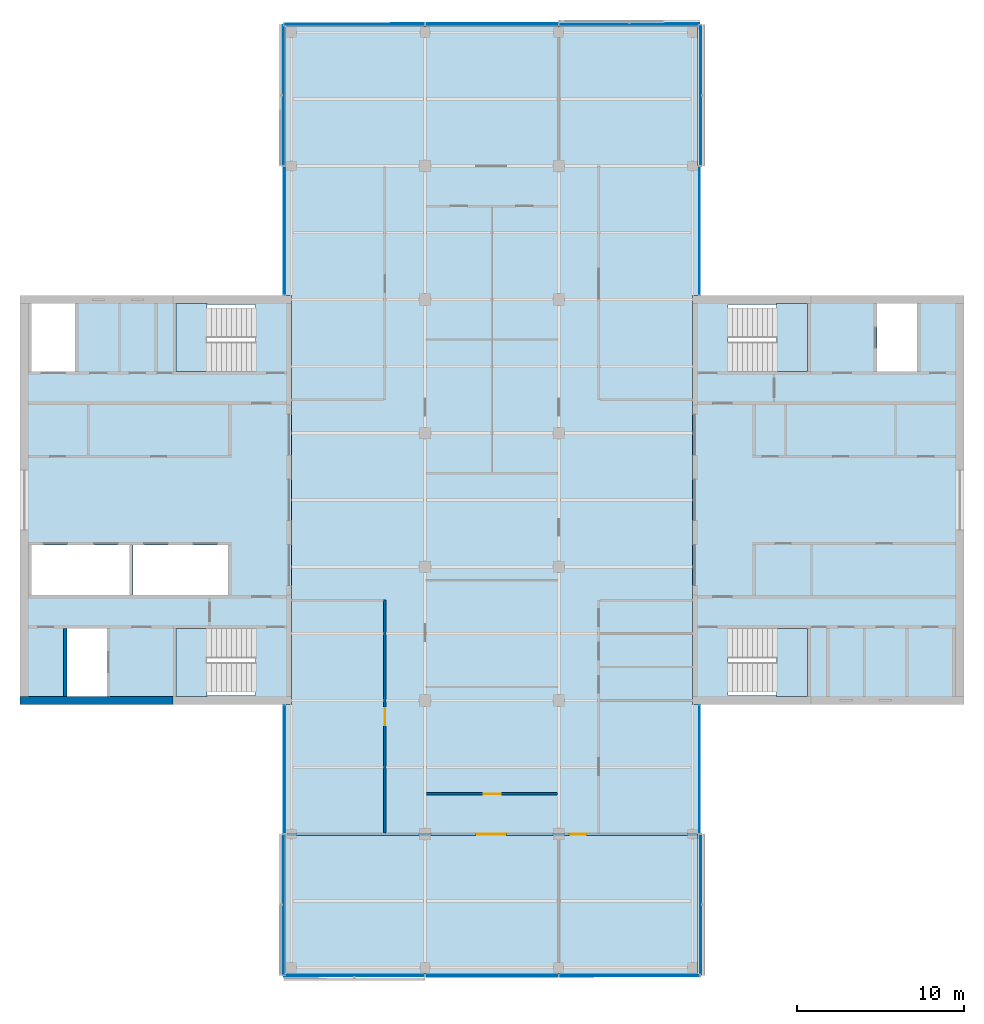
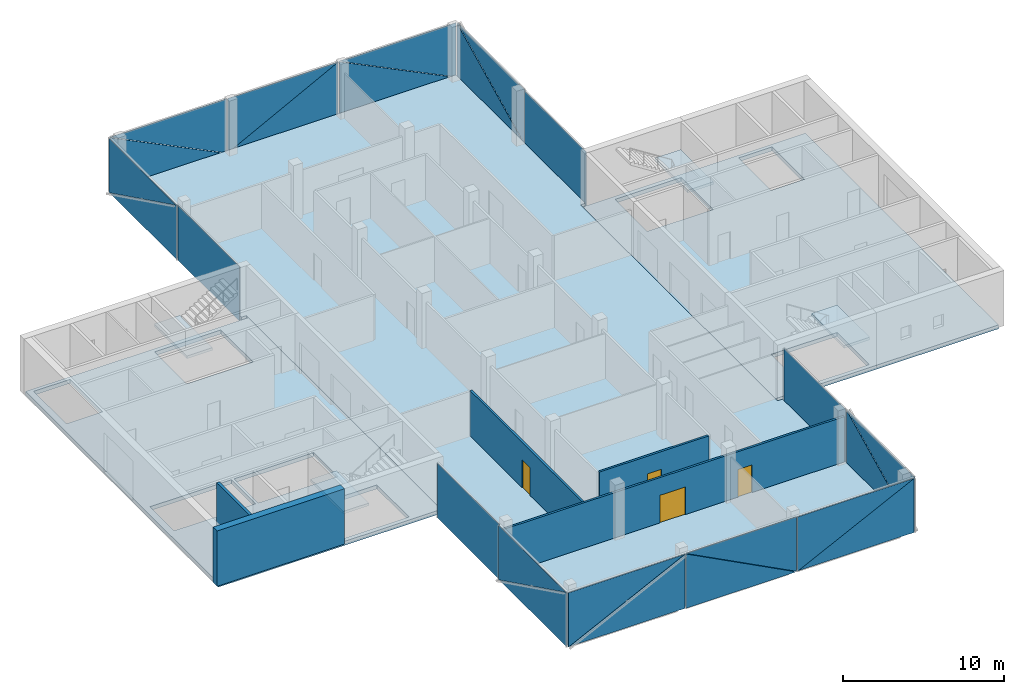
# One storey, part 8 of 15: 24 plates, 7 slabs, 5 walls, 4 doors, 4 openings, 14 elements without a shape of their own.
"""IFC4 building model written with IfcOpenShell, lengths in metres."""

from ifc_helpers import new_model, si_unit, direction, frame, frame_2d, origin, place, context, subcontext, project, spatial, polyline, rectangle, outline, extrude, material, layer, layer_set, constituent, constituent_set, type_object, element, fill, aggregate, save


model = new_model("IFC4")

# Units and contexts
model_context = context("Model", 3, precision=1e-05, world=origin(), true_north=direction((0.0, 1.0)))
body_context = subcontext(model_context, "Body", "Model", "MODEL_VIEW")
ifc_project = project(units=[si_unit("LENGTHUNIT", "METRE"), si_unit("AREAUNIT", "SQUARE_METRE"), si_unit("VOLUMEUNIT", "CUBIC_METRE"), si_unit("PLANEANGLEUNIT", "RADIAN"), si_unit("MASSUNIT", "GRAM", prefix="KILO")], contexts=[model_context])

# Site, building, storey
site_placement = place(None, origin())
site = spatial("IfcSite", under=ifc_project, at=site_placement, CompositionType="ELEMENT")
building_placement = place(site_placement, origin())
building = spatial("IfcBuilding", under=site, at=building_placement, Name="Crosswind Convention Tower", CompositionType="ELEMENT")
storey_placement = place(building_placement, frame((0.0, 0.0, 257.699951171875)))
storey = spatial("IfcBuildingStorey", under=building, at=storey_placement, Name="L55", CompositionType="ELEMENT", Elevation=257.699951171875)

# Slabs
ifc_material_1 = material(Name="Concrete C40/50", Category="concrete")
ifc_layer_1 = layer(ifc_material_1, 0.300048828125)
ifc_layer_set_1 = layer_set([ifc_layer_1], Name="Concrete C40/50")
slab_type_1 = type_object("IfcSlabType", Name="Composite floor slab 300", PredefinedType="FLOOR", material=ifc_layer_set_1)
slab_1_placement = place(storey_placement, frame((0.0, 0.0, -0.300048828125)))
element("IfcSlab", 1, at=slab_1_placement, inside=storey, type_object=slab_type_1, Name="Floor slab L55", PredefinedType="FLOOR", context=body_context, shape_type="SweptSolid", body=[
    extrude(outline(polyline([(137.35009765625, 71.64990234375), (137.0, 71.64990234375), (113.0, 71.64990234375), (112.64990234375, 71.64990234375), (112.64990234375, 72.0), (112.64990234375, 87.75), (113.0, 87.75), (113.0, 112.25), (112.64990234375, 112.25), (112.64990234375, 128.0), (112.64990234375, 128.35009765625), (113.0, 128.35009765625), (137.0, 128.35009765625), (137.35009765625, 128.35009765625), (137.35009765625, 128.0), (137.35009765625, 112.25), (137.0, 112.25), (137.0, 87.75), (137.35009765625, 87.75), (137.35009765625, 72.0), (137.35009765625, 71.64990234375)])), origin(), (0.0, 0.0, 1.0), 0.300048828125),
])
ifc_layer_2 = layer(ifc_material_1, 0.300048828125)
ifc_layer_set_2 = layer_set([ifc_layer_2], Name="Concrete C40/50")
slab_type_2 = type_object("IfcSlabType", Name="Concrete core floor slab 300", PredefinedType="FLOOR", material=ifc_layer_set_2)
slab_2_placement = place(storey_placement, frame((0.0, 0.0, -0.300048828125)))
element("IfcSlab", 2, at=slab_2_placement, inside=storey, type_object=slab_type_2, Name="Core floor slab E L55", PredefinedType="FLOOR", context=body_context, shape_type="SweptSolid", body=[
    extrude(outline(polyline([(137.0, 88.0), (153.0, 88.0), (153.0, 112.0), (137.0, 112.0), (137.0, 88.0)]), holes=[polyline([(150.449951171875, 107.699951171875), (150.449951171875, 111.75), (148.050048828125, 111.75), (148.050048828125, 107.699951171875), (150.449951171875, 107.699951171875)]), polyline([(143.89990234375, 107.699951171875), (143.89990234375, 111.699951171875), (139.14990234375, 111.699951171875), (139.14990234375, 107.699951171875), (143.89990234375, 107.699951171875)]), polyline([(143.89990234375, 88.300048828125), (143.89990234375, 92.300048828125), (139.14990234375, 92.300048828125), (139.14990234375, 88.300048828125), (143.89990234375, 88.300048828125)])]), origin(), (0.0, 0.0, 1.0), 0.300048828125),
])
slab_3_placement = place(storey_placement, frame((0.0, 0.0, -0.300048828125)))
element("IfcSlab", 3, at=slab_3_placement, inside=storey, type_object=slab_type_2, Name="Core floor slab W L55", PredefinedType="FLOOR", context=body_context, shape_type="SweptSolid", body=[
    extrude(outline(polyline([(97.0, 88.0), (113.0, 88.0), (113.0, 112.0), (97.0, 112.0), (97.0, 88.0)]), holes=[polyline([(109.199951171875, 94.300048828125), (109.199951171875, 97.300048828125), (103.5, 97.300048828125), (103.5, 94.300048828125), (109.199951171875, 94.300048828125)]), polyline([(103.300048828125, 94.300048828125), (103.300048828125, 97.300048828125), (97.449951171875, 97.300048828125), (97.449951171875, 94.300048828125), (103.300048828125, 94.300048828125)]), polyline([(101.949951171875, 88.25), (101.949951171875, 92.300048828125), (99.550048828125, 92.300048828125), (99.550048828125, 88.25), (101.949951171875, 88.25)]), polyline([(100.050048828125, 107.699951171875), (100.050048828125, 111.75), (97.449951171875, 111.75), (97.449951171875, 107.699951171875), (100.050048828125, 107.699951171875)]), polyline([(110.85009765625, 88.300048828125), (110.85009765625, 92.300048828125), (106.10009765625, 92.300048828125), (106.10009765625, 88.300048828125), (110.85009765625, 88.300048828125)]), polyline([(110.85009765625, 107.699951171875), (110.85009765625, 111.699951171875), (106.10009765625, 111.699951171875), (106.10009765625, 107.699951171875), (110.85009765625, 107.699951171875)])]), origin(), (0.0, 0.0, 1.0), 0.300048828125),
])

# Stair, slab
stair_type = type_object("IfcStairType", Name="Exit stair 1800 wide, 2 flights of 11 risers", PredefinedType="HALF_TURN_STAIR", material=ifc_material_1)
stair_1_placement = place(storey_placement, origin())
stair_1 = element("IfcStair", 4, at=stair_1_placement, inside=storey, type_object=stair_type, Name="Exit stair ST1 L55", ObjectType="ST5", PredefinedType="HALF_TURN_STAIR")
ifc_layer_3 = layer(ifc_material_1, 0.199951171875)
ifc_layer_set_3 = layer_set([ifc_layer_3], Name="Concrete C40/50")
slab_type_3 = type_object("IfcSlabType", Name="Stair landing 200", PredefinedType="LANDING", material=ifc_layer_set_3)
slab_4_placement = place(storey_placement, frame((0.0, 0.0, 1.900146484375)))
slab_4 = element("IfcSlab", 5, at=slab_4_placement, type_object=slab_type_3, Name="ST1 landing 1", PredefinedType="LANDING", context=body_context, shape_type="SweptSolid", body=[
    extrude(outline(polyline([(143.89990234375, 107.699951171875), (143.89990234375, 111.75), (142.050048828125, 111.75), (142.050048828125, 107.699951171875), (143.89990234375, 107.699951171875)])), origin(), (0.0, 0.0, 1.0), 0.199951171875),
])
aggregate(stair_1, [slab_4])

stair_2_placement = place(storey_placement, origin())
stair_2 = element("IfcStair", 6, at=stair_2_placement, inside=storey, type_object=stair_type, Name="Exit stair ST2 L55", ObjectType="ST5", PredefinedType="HALF_TURN_STAIR")
slab_5_placement = place(storey_placement, frame((0.0, 0.0, 1.900146484375)))
slab_5 = element("IfcSlab", 7, at=slab_5_placement, type_object=slab_type_3, Name="ST2 landing 1", PredefinedType="LANDING", context=body_context, shape_type="SweptSolid", body=[
    extrude(outline(polyline([(143.89990234375, 88.25), (143.89990234375, 92.300048828125), (142.050048828125, 92.300048828125), (142.050048828125, 88.25), (143.89990234375, 88.25)])), origin(), (0.0, 0.0, 1.0), 0.199951171875),
])
aggregate(stair_2, [slab_5])

stair_3_placement = place(storey_placement, origin())
stair_3 = element("IfcStair", 8, at=stair_3_placement, inside=storey, type_object=stair_type, Name="Exit stair ST3 L55", ObjectType="ST5", PredefinedType="HALF_TURN_STAIR")
slab_6_placement = place(storey_placement, frame((0.0, 0.0, 1.900146484375)))
slab_6 = element("IfcSlab", 9, at=slab_6_placement, type_object=slab_type_3, Name="ST3 landing 1", PredefinedType="LANDING", context=body_context, shape_type="SweptSolid", body=[
    extrude(outline(polyline([(107.949951171875, 88.25), (107.949951171875, 92.300048828125), (106.10009765625, 92.300048828125), (106.10009765625, 88.25), (107.949951171875, 88.25)])), origin(), (0.0, 0.0, 1.0), 0.199951171875),
])
aggregate(stair_3, [slab_6])

stair_4_placement = place(storey_placement, origin())
stair_4 = element("IfcStair", 10, at=stair_4_placement, inside=storey, type_object=stair_type, Name="Exit stair ST4 L55", ObjectType="ST5", PredefinedType="HALF_TURN_STAIR")
slab_7_placement = place(storey_placement, frame((0.0, 0.0, 1.900146484375)))
slab_7 = element("IfcSlab", 11, at=slab_7_placement, type_object=slab_type_3, Name="ST4 landing 1", PredefinedType="LANDING", context=body_context, shape_type="SweptSolid", body=[
    extrude(outline(polyline([(107.949951171875, 107.699951171875), (107.949951171875, 111.75), (106.10009765625, 111.75), (106.10009765625, 107.699951171875), (107.949951171875, 107.699951171875)])), origin(), (0.0, 0.0, 1.0), 0.199951171875),
])
aggregate(stair_4, [slab_7])

# Curtain wall, plate
ifc_material_2 = material(Name="Aluminium unitised curtain wall", Category="aluminium")
curtain_wall_type_1 = type_object("IfcCurtainWallType", Name="CORE END SLOT WALL 160", PredefinedType="USERDEFINED", material=ifc_material_2)
curtain_wall_1_placement = place(storey_placement, origin())
curtain_wall_1 = element("IfcCurtainWall", 12, at=curtain_wall_1_placement, inside=storey, type_object=curtain_wall_type_1, Name="CW6 L55 N-E.1-1 slot", ObjectType="UNITISED", PredefinedType="USERDEFINED")
ifc_material_3 = material(Name="Laminated insulating glass unit", Category="glass")
ifc_layer_4 = layer(ifc_material_3, 0.02587890625)
ifc_layer_set_4 = layer_set([ifc_layer_4], Name="TRIANGULAR GLASS PANEL 26")
plate_type_1 = type_object("IfcPlateType", Name="TRIANGULAR GLASS PANEL 26", PredefinedType="CURTAIN_PANEL", material=ifc_layer_set_4)
plate_1_placement = place(storey_placement, frame((137.456787109375, 112.300048828125, -0.300048828125), z_axis=(0.999999915215, 0.0, 0.000411788894), x_axis=(0.0, 1.0, 0.0)))
plate_1 = element("IfcPlate", 13, at=plate_1_placement, type_object=plate_type_1, Name="CW6 panel 1.1", PredefinedType="CURTAIN_PANEL", context=body_context, shape_type="SweptSolid", body=[
    extrude(outline(polyline([(0.0, 0.0), (7.64990234375, 0.0), (7.64990234375, 4.150146836245408), (0.0, 4.150146836245408), (0.0, 0.0)])), origin(), (0.0, 0.0, -1.0), 0.02587890625),
])
aggregate(curtain_wall_1, [plate_1])

curtain_wall_2_placement = place(storey_placement, origin())
curtain_wall_2 = element("IfcCurtainWall", 14, at=curtain_wall_2_placement, inside=storey, type_object=curtain_wall_type_1, Name="CW6 L55 N-W.1-2 slot", ObjectType="UNITISED", PredefinedType="USERDEFINED")
plate_2_placement = place(storey_placement, frame((112.543212890625, 119.949951171875, -0.300048828125), z_axis=(-0.999999915215, 0.0, 0.000411788894), x_axis=(0.0, -1.0, 0.0)))
plate_2 = element("IfcPlate", 15, at=plate_2_placement, type_object=plate_type_1, Name="CW6 panel 1.1", PredefinedType="CURTAIN_PANEL", context=body_context, shape_type="SweptSolid", body=[
    extrude(outline(polyline([(0.0, 0.0), (7.64990234375, 0.0), (7.64990234375, 4.150146836245408), (0.0, 4.150146836245408), (0.0, 0.0)])), origin(), (0.0, 0.0, -1.0), 0.02587890625),
])
aggregate(curtain_wall_2, [plate_2])

curtain_wall_3_placement = place(storey_placement, origin())
curtain_wall_3 = element("IfcCurtainWall", 16, at=curtain_wall_3_placement, inside=storey, type_object=curtain_wall_type_1, Name="CW6 L55 S-W.1-1 slot", ObjectType="UNITISED", PredefinedType="USERDEFINED")
plate_3_placement = place(storey_placement, frame((112.543212890625, 87.699951171875, -0.300048828125), z_axis=(-0.999999915215, 0.0, 0.000411788894), x_axis=(0.0, -1.0, 0.0)))
plate_3 = element("IfcPlate", 17, at=plate_3_placement, type_object=plate_type_1, Name="CW6 panel 1.1", PredefinedType="CURTAIN_PANEL", context=body_context, shape_type="SweptSolid", body=[
    extrude(outline(polyline([(0.0, 0.0), (7.64990234375, 0.0), (7.64990234375, 4.150146836245408), (0.0, 4.150146836245408), (0.0, 0.0)])), origin(), (0.0, 0.0, -1.0), 0.02587890625),
])
aggregate(curtain_wall_3, [plate_3])

curtain_wall_4_placement = place(storey_placement, origin())
curtain_wall_4 = element("IfcCurtainWall", 18, at=curtain_wall_4_placement, inside=storey, type_object=curtain_wall_type_1, Name="CW6 L55 S-E.1-2 slot", ObjectType="UNITISED", PredefinedType="USERDEFINED")
plate_4_placement = place(storey_placement, frame((137.456787109375, 80.050048828125, -0.300048828125), z_axis=(0.999999915215, 0.0, 0.000411788894), x_axis=(0.0, 1.0, 0.0)))
plate_4 = element("IfcPlate", 19, at=plate_4_placement, type_object=plate_type_1, Name="CW6 panel 1.1", PredefinedType="CURTAIN_PANEL", context=body_context, shape_type="SweptSolid", body=[
    extrude(outline(polyline([(0.0, 0.0), (7.64990234375, 0.0), (7.64990234375, 4.150146836245408), (0.0, 4.150146836245408), (0.0, 0.0)])), origin(), (0.0, 0.0, -1.0), 0.02587890625),
])
aggregate(curtain_wall_4, [plate_4])

# Curtain wall, plates
curtain_wall_type_2 = type_object("IfcCurtainWallType", Name="OFFICE UNITISED WALL 220", PredefinedType="USERDEFINED", material=ifc_material_2)
curtain_wall_5_placement = place(storey_placement, origin())
curtain_wall_5 = element("IfcCurtainWall", 20, at=curtain_wall_5_placement, inside=storey, type_object=curtain_wall_type_2, Name="CW3 L55 N-E 1", ObjectType="UNITISED", PredefinedType="USERDEFINED")
ifc_layer_5 = layer(ifc_material_3, 0.031982421875)
ifc_layer_set_5 = layer_set([ifc_layer_5], Name="TRIANGULAR GLASS PANEL 32")
plate_type_2 = type_object("IfcPlateType", Name="TRIANGULAR GLASS PANEL 32", PredefinedType="CURTAIN_PANEL", material=ifc_layer_set_5)
plate_5_placement = place(storey_placement, frame((137.492919921875, 128.425048828125, -0.300048828125), z_axis=(0.999999913924, 0.0, 0.000414913129), x_axis=(-0.000414913129, 0.0, 0.999999913924)))
plate_5 = element("IfcPlate", 21, at=plate_5_placement, type_object=plate_type_2, Name="CW3 panel 1.1", PredefinedType="CURTAIN_PANEL", context=body_context, shape_type="SweptSolid", body=[
    extrude(outline(polyline([(0.0, 0.0), (4.118896838915043, 0.0), (0.0, 8.367431640625), (0.0, 0.0)])), origin(), (0.0, 0.0, -1.0), 0.031982421875),
])
plate_6_placement = place(storey_placement, frame((137.525146484375, 120.034912109375, 3.830078125), z_axis=(0.999999913924, 0.0, 0.000414913129), x_axis=(0.000414913129, 0.0, -0.999999913924)))
plate_6 = element("IfcPlate", 22, at=plate_6_placement, type_object=plate_type_2, Name="CW3 panel 1.2", PredefinedType="CURTAIN_PANEL", context=body_context, shape_type="SweptSolid", body=[
    extrude(outline(polyline([(0.0, 0.0), (4.118896838915043, 0.0), (0.0, 8.367431640625), (0.0, 0.0)])), origin(), (0.0, 0.0, -1.0), 0.031982421875),
])
aggregate(curtain_wall_5, [plate_5, plate_6])

curtain_wall_6_placement = place(storey_placement, origin())
curtain_wall_6 = element("IfcCurtainWall", 23, at=curtain_wall_6_placement, inside=storey, type_object=curtain_wall_type_2, Name="CW3 L55 N-TIP 1", ObjectType="UNITISED", PredefinedType="USERDEFINED")
plate_7_placement = place(storey_placement, frame((129.034912109375, 128.492919921875, -0.300048828125), z_axis=(0.0, 0.999999913924, 0.000414913129), x_axis=(0.0, -0.000414913129, 0.999999913924)))
plate_7 = element("IfcPlate", 24, at=plate_7_placement, type_object=plate_type_2, Name="CW3 panel 1.1", PredefinedType="CURTAIN_PANEL", context=body_context, shape_type="SweptSolid", body=[
    extrude(outline(polyline([(0.0, 0.0), (4.118896838915043, 0.0), (0.0, 8.367431640625), (0.0, 0.0)])), origin(), (0.0, 0.0, -1.0), 0.031982421875),
])
plate_8_placement = place(storey_placement, frame((137.425048828125, 128.525146484375, 3.830078125), z_axis=(0.0, 0.999999913924, 0.000414913129), x_axis=(0.0, 0.000414913129, -0.999999913924)))
plate_8 = element("IfcPlate", 25, at=plate_8_placement, type_object=plate_type_2, Name="CW3 panel 1.2", PredefinedType="CURTAIN_PANEL", context=body_context, shape_type="SweptSolid", body=[
    extrude(outline(polyline([(0.0, 0.0), (4.118896838915043, 0.0), (0.0, 8.367431640625), (0.0, 0.0)])), origin(), (0.0, 0.0, -1.0), 0.031982421875),
])
plate_9_placement = place(storey_placement, frame((121.034912109375, 128.4912109375, 3.830078125), z_axis=(0.0, 0.999999913913, 0.000414937724), x_axis=(1.0, 0.0, 0.0)))
plate_9 = element("IfcPlate", 26, at=plate_9_placement, type_object=plate_type_2, Name="CW3 panel 2.1", PredefinedType="CURTAIN_PANEL", context=body_context, shape_type="SweptSolid", body=[
    extrude(outline(polyline([(0.0, 0.0), (7.908447265625, 0.0), (0.0, 4.118652698311059), (0.0, 0.0)])), origin(), (0.0, 0.0, -1.0), 0.031982421875),
])
plate_10_placement = place(storey_placement, frame((128.965087890625, 128.52685546875, -0.300048828125), z_axis=(0.0, 0.999999913924, 0.000414913129), x_axis=(-1.0, 0.0, 0.0)))
plate_10 = element("IfcPlate", 27, at=plate_10_placement, type_object=plate_type_2, Name="CW3 panel 2.2", PredefinedType="CURTAIN_PANEL", context=body_context, shape_type="SweptSolid", body=[
    extrude(outline(polyline([(0.0, 0.0), (7.908447265625, 0.0), (0.0, 4.118896838915043), (0.0, 0.0)])), origin(), (0.0, 0.0, -1.0), 0.031982421875),
])
plate_11_placement = place(storey_placement, frame((112.574951171875, 128.492919921875, -0.300048828125), z_axis=(0.0, 0.999999913924, 0.000414913129), x_axis=(0.0, -0.000414913129, 0.999999913924)))
plate_11 = element("IfcPlate", 28, at=plate_11_placement, type_object=plate_type_2, Name="CW3 panel 3.1", PredefinedType="CURTAIN_PANEL", context=body_context, shape_type="SweptSolid", body=[
    extrude(outline(polyline([(0.0, 0.0), (4.118896838915043, 0.0), (0.0, 8.367431640625), (0.0, 0.0)])), origin(), (0.0, 0.0, -1.0), 0.031982421875),
])
plate_12_placement = place(storey_placement, frame((120.965087890625, 128.525146484375, 3.830078125), z_axis=(0.0, 0.999999913924, 0.000414913129), x_axis=(0.0, 0.000414913129, -0.999999913924)))
plate_12 = element("IfcPlate", 29, at=plate_12_placement, type_object=plate_type_2, Name="CW3 panel 3.2", PredefinedType="CURTAIN_PANEL", context=body_context, shape_type="SweptSolid", body=[
    extrude(outline(polyline([(0.0, 0.0), (4.118896838915043, 0.0), (0.0, 8.367431640625), (0.0, 0.0)])), origin(), (0.0, 0.0, -1.0), 0.031982421875),
])
aggregate(curtain_wall_6, [plate_7, plate_8, plate_9, plate_10, plate_11, plate_12])

curtain_wall_7_placement = place(storey_placement, origin())
curtain_wall_7 = element("IfcCurtainWall", 30, at=curtain_wall_7_placement, inside=storey, type_object=curtain_wall_type_2, Name="CW3 L55 N-W 1", ObjectType="UNITISED", PredefinedType="USERDEFINED")
plate_13_placement = place(storey_placement, frame((112.507080078125, 120.034912109375, -0.300048828125), z_axis=(-0.999999913924, 0.0, 0.000414913129), x_axis=(0.000414913129, 0.0, 0.999999913924)))
plate_13 = element("IfcPlate", 31, at=plate_13_placement, type_object=plate_type_2, Name="CW3 panel 1.1", PredefinedType="CURTAIN_PANEL", context=body_context, shape_type="SweptSolid", body=[
    extrude(outline(polyline([(0.0, 0.0), (4.118896838915043, 0.0), (0.0, 8.367431640625), (0.0, 0.0)])), origin(), (0.0, 0.0, -1.0), 0.031982421875),
])
plate_14_placement = place(storey_placement, frame((112.474853515625, 128.425048828125, 3.830078125), z_axis=(-0.999999913924, 0.0, 0.000414913129), x_axis=(-0.000414913129, 0.0, -0.999999913924)))
plate_14 = element("IfcPlate", 32, at=plate_14_placement, type_object=plate_type_2, Name="CW3 panel 1.2", PredefinedType="CURTAIN_PANEL", context=body_context, shape_type="SweptSolid", body=[
    extrude(outline(polyline([(0.0, 0.0), (4.118896838915043, 0.0), (0.0, 8.367431640625), (0.0, 0.0)])), origin(), (0.0, 0.0, -1.0), 0.031982421875),
])
aggregate(curtain_wall_7, [plate_13, plate_14])

curtain_wall_8_placement = place(storey_placement, origin())
curtain_wall_8 = element("IfcCurtainWall", 33, at=curtain_wall_8_placement, inside=storey, type_object=curtain_wall_type_2, Name="CW3 L55 S-W 1", ObjectType="UNITISED", PredefinedType="USERDEFINED")
plate_15_placement = place(storey_placement, frame((112.507080078125, 71.574951171875, -0.300048828125), z_axis=(-0.999999913924, 0.0, 0.000414913129), x_axis=(0.000414913129, 0.0, 0.999999913924)))
plate_15 = element("IfcPlate", 34, at=plate_15_placement, type_object=plate_type_2, Name="CW3 panel 1.1", PredefinedType="CURTAIN_PANEL", context=body_context, shape_type="SweptSolid", body=[
    extrude(outline(polyline([(0.0, 0.0), (4.118896838915043, 0.0), (0.0, 8.367431640625), (0.0, 0.0)])), origin(), (0.0, 0.0, -1.0), 0.031982421875),
])
plate_16_placement = place(storey_placement, frame((112.474853515625, 79.965087890625, 3.830078125), z_axis=(-0.999999913924, 0.0, 0.000414913129), x_axis=(-0.000414913129, 0.0, -0.999999913924)))
plate_16 = element("IfcPlate", 35, at=plate_16_placement, type_object=plate_type_2, Name="CW3 panel 1.2", PredefinedType="CURTAIN_PANEL", context=body_context, shape_type="SweptSolid", body=[
    extrude(outline(polyline([(0.0, 0.0), (4.118896838915043, 0.0), (0.0, 8.367431640625), (0.0, 0.0)])), origin(), (0.0, 0.0, -1.0), 0.031982421875),
])
aggregate(curtain_wall_8, [plate_15, plate_16])

curtain_wall_9_placement = place(storey_placement, origin())
curtain_wall_9 = element("IfcCurtainWall", 36, at=curtain_wall_9_placement, inside=storey, type_object=curtain_wall_type_2, Name="CW3 L55 S-TIP 1", ObjectType="UNITISED", PredefinedType="USERDEFINED")
plate_17_placement = place(storey_placement, frame((120.965087890625, 71.507080078125, -0.300048828125), z_axis=(0.0, -0.999999913924, 0.000414913129), x_axis=(0.0, 0.000414913129, 0.999999913924)))
plate_17 = element("IfcPlate", 37, at=plate_17_placement, type_object=plate_type_2, Name="CW3 panel 1.1", PredefinedType="CURTAIN_PANEL", context=body_context, shape_type="SweptSolid", body=[
    extrude(outline(polyline([(0.0, 0.0), (4.118896838915043, 0.0), (0.0, 8.367431640625), (0.0, 0.0)])), origin(), (0.0, 0.0, -1.0), 0.031982421875),
])
plate_18_placement = place(storey_placement, frame((112.574951171875, 71.474853515625, 3.830078125), z_axis=(0.0, -0.999999913924, 0.000414913129), x_axis=(0.0, -0.000414913129, -0.999999913924)))
plate_18 = element("IfcPlate", 38, at=plate_18_placement, type_object=plate_type_2, Name="CW3 panel 1.2", PredefinedType="CURTAIN_PANEL", context=body_context, shape_type="SweptSolid", body=[
    extrude(outline(polyline([(0.0, 0.0), (4.118896838915043, 0.0), (0.0, 8.367431640625), (0.0, 0.0)])), origin(), (0.0, 0.0, -1.0), 0.031982421875),
])
plate_19_placement = place(storey_placement, frame((128.965087890625, 71.5087890625, 3.830078125), z_axis=(0.0, -0.999999913913, 0.000414937724), x_axis=(-1.0, 0.0, 0.0)))
plate_19 = element("IfcPlate", 39, at=plate_19_placement, type_object=plate_type_2, Name="CW3 panel 2.1", PredefinedType="CURTAIN_PANEL", context=body_context, shape_type="SweptSolid", body=[
    extrude(outline(polyline([(0.0, 0.0), (7.908447265625, 0.0), (0.0, 4.118652698311059), (0.0, 0.0)])), origin(), (0.0, 0.0, -1.0), 0.031982421875),
])
plate_20_placement = place(storey_placement, frame((121.034912109375, 71.47314453125, -0.300048828125), z_axis=(0.0, -0.999999913924, 0.000414913129), x_axis=(1.0, 0.0, 0.0)))
plate_20 = element("IfcPlate", 40, at=plate_20_placement, type_object=plate_type_2, Name="CW3 panel 2.2", PredefinedType="CURTAIN_PANEL", context=body_context, shape_type="SweptSolid", body=[
    extrude(outline(polyline([(0.0, 0.0), (7.908447265625, 0.0), (0.0, 4.118896838915043), (0.0, 0.0)])), origin(), (0.0, 0.0, -1.0), 0.031982421875),
])
plate_21_placement = place(storey_placement, frame((137.425048828125, 71.507080078125, -0.300048828125), z_axis=(0.0, -0.999999913924, 0.000414913129), x_axis=(0.0, 0.000414913129, 0.999999913924)))
plate_21 = element("IfcPlate", 41, at=plate_21_placement, type_object=plate_type_2, Name="CW3 panel 3.1", PredefinedType="CURTAIN_PANEL", context=body_context, shape_type="SweptSolid", body=[
    extrude(outline(polyline([(0.0, 0.0), (4.118896838915043, 0.0), (0.0, 8.367431640625), (0.0, 0.0)])), origin(), (0.0, 0.0, -1.0), 0.031982421875),
])
plate_22_placement = place(storey_placement, frame((129.034912109375, 71.474853515625, 3.830078125), z_axis=(0.0, -0.999999913924, 0.000414913129), x_axis=(0.0, -0.000414913129, -0.999999913924)))
plate_22 = element("IfcPlate", 42, at=plate_22_placement, type_object=plate_type_2, Name="CW3 panel 3.2", PredefinedType="CURTAIN_PANEL", context=body_context, shape_type="SweptSolid", body=[
    extrude(outline(polyline([(0.0, 0.0), (4.118896838915043, 0.0), (0.0, 8.367431640625), (0.0, 0.0)])), origin(), (0.0, 0.0, -1.0), 0.031982421875),
])
aggregate(curtain_wall_9, [plate_17, plate_18, plate_19, plate_20, plate_21, plate_22])

curtain_wall_10_placement = place(storey_placement, origin())
curtain_wall_10 = element("IfcCurtainWall", 43, at=curtain_wall_10_placement, inside=storey, type_object=curtain_wall_type_2, Name="CW3 L55 S-E 1", ObjectType="UNITISED", PredefinedType="USERDEFINED")
plate_23_placement = place(storey_placement, frame((137.492919921875, 79.965087890625, -0.300048828125), z_axis=(0.999999913924, 0.0, 0.000414913129), x_axis=(-0.000414913129, 0.0, 0.999999913924)))
plate_23 = element("IfcPlate", 44, at=plate_23_placement, type_object=plate_type_2, Name="CW3 panel 1.1", PredefinedType="CURTAIN_PANEL", context=body_context, shape_type="SweptSolid", body=[
    extrude(outline(polyline([(0.0, 0.0), (4.118896838915043, 0.0), (0.0, 8.367431640625), (0.0, 0.0)])), origin(), (0.0, 0.0, -1.0), 0.031982421875),
])
plate_24_placement = place(storey_placement, frame((137.525146484375, 71.574951171875, 3.830078125), z_axis=(0.999999913924, 0.0, 0.000414913129), x_axis=(0.000414913129, 0.0, -0.999999913924)))
plate_24 = element("IfcPlate", 45, at=plate_24_placement, type_object=plate_type_2, Name="CW3 panel 1.2", PredefinedType="CURTAIN_PANEL", context=body_context, shape_type="SweptSolid", body=[
    extrude(outline(polyline([(0.0, 0.0), (4.118896838915043, 0.0), (0.0, 8.367431640625), (0.0, 0.0)])), origin(), (0.0, 0.0, -1.0), 0.031982421875),
])
aggregate(curtain_wall_10, [plate_23, plate_24])

# Wall
ifc_material_4 = material(Name="Concrete C50/60", Category="concrete")
ifc_layer_6 = layer(ifc_material_4, 0.199951171875)
ifc_layer_set_6 = layer_set([ifc_layer_6], Name="Concrete C50/60")
wall_type_1 = type_object("IfcWallType", Name="Concrete shaft and stair wall 200", PredefinedType="SHEAR", material=ifc_layer_set_6)
wall_1_placement = place(storey_placement, frame((99.449951171875, 92.300048828125, 0.0), z_axis=(0.0, 0.0, 1.0), x_axis=(0.0, -1.0, 0.0)))
element("IfcWall", 46, at=wall_1_placement, inside=storey, type_object=wall_type_1, Name="Wall PFSE W L55", PredefinedType="SHEAR", context=body_context, shape_type="SweptSolid", body=[
    extrude(rectangle(XDim=4.050048828125, YDim=0.199951171875, at=frame_2d((2.02490234375, 0.0))), origin(), (0.0, 0.0, 1.0), 4.199951171875),
])

# Wall, opening, door
ifc_material_5 = material(Name="Fire-board partition with mineral wool", Category="gypsum")
ifc_layer_7 = layer(ifc_material_5, 0.14990234375)
ifc_layer_set_7 = layer_set([ifc_layer_7], Name="TENANCY WALL 150 TWO-HOUR BOARD")
wall_type_2 = type_object("IfcWallType", Name="TENANCY WALL 150 TWO-HOUR BOARD", PredefinedType="PARTITIONING", material=ifc_layer_set_7)
wall_2_placement = place(storey_placement, frame((118.60009765625, 80.074951171875, 0.0), z_axis=(0.0, 0.0, 1.0), x_axis=(0.0, 1.0, 0.0)))
wall_2 = element("IfcWall", 47, at=wall_2_placement, inside=storey, type_object=wall_type_2, Name="Tenancy wall WT41", PredefinedType="PARTITIONING", context=body_context, shape_type="SweptSolid", body=[
    extrude(rectangle(XDim=13.925048828125, YDim=0.14990234375, at=frame_2d((6.96240234375, 0.0))), origin(), (0.0, 0.0, 1.0), 3.44287109375),
])
opening_1_placement = place(wall_2_placement, frame((6.449951171875, 0.0, 0.0)))
opening_1 = element("IfcOpeningElement", 48, at=opening_1_placement, cuts=wall_2, Name="Opening L55-56", PredefinedType="OPENING", context=body_context, shape_type="SweptSolid", body=[
    extrude(rectangle(XDim=1.0, YDim=2.10009765625, at=frame_2d((0.5, 1.050048828125))), frame((0.0, 0.0849609375, 0.0), z_axis=(0.0, -1.0, 0.0), x_axis=(1.0, 0.0, 0.0)), (0.0, 0.0, 1.0), 0.169921875),
])
ifc_material_6 = material(Name="Timber fire door", Category="wood")
door_type_1 = type_object("IfcDoorType", Name="TENANCY ENTRANCE DOOR 1000X2100 FD30S", OperationType="NOTDEFINED", PredefinedType="DOOR", material=ifc_material_6)
door_1_placement = place(opening_1_placement, origin())
door_1 = element("IfcDoor", 49, at=door_1_placement, inside=storey, type_object=door_type_1, Name="Door L55-56", ObjectType="D41", OperationType="SINGLE_SWING_RIGHT", OverallHeight=2.10009765625, OverallWidth=1.0, PredefinedType="DOOR", context=body_context, shape_type="SweptSolid", body=[
    extrude(rectangle(XDim=1.0, YDim=2.10009765625, at=frame_2d((0.5, 1.050048828125))), frame((0.0, 0.02490234375, 0.0), z_axis=(0.0, -1.0, 0.0), x_axis=(1.0, 0.0, 0.0)), (0.0, 0.0, 1.0), 0.050048828125),
])
fill(opening_1, door_1)

# Wall, openings, doors
wall_3_placement = place(storey_placement, frame((112.72998046875, 80.0, 0.0), z_axis=(0.0, 0.0, 1.0), x_axis=(1.0, 0.0, 0.0)))
wall_3 = element("IfcWall", 50, at=wall_3_placement, inside=storey, type_object=wall_type_2, Name="Tenancy wall WT41", PredefinedType="PARTITIONING", context=body_context, shape_type="SweptSolid", body=[
    extrude(rectangle(XDim=24.5400390625, YDim=0.14990234375, at=frame_2d((12.27001953125, 0.0))), origin(), (0.0, 0.0, 1.0), 3.44287109375),
])
opening_2_placement = place(wall_3_placement, frame((11.320068359375, 0.0, 0.0)))
opening_2 = element("IfcOpeningElement", 51, at=opening_2_placement, cuts=wall_3, Name="Opening L55-58", PredefinedType="OPENING", context=body_context, shape_type="SweptSolid", body=[
    extrude(rectangle(XDim=1.800048828125, YDim=2.10009765625, at=frame_2d((0.89990234375, 1.050048828125))), frame((0.0, 0.0849609375, 0.0), z_axis=(0.0, -1.0, 0.0), x_axis=(1.0, 0.0, 0.0)), (0.0, 0.0, 1.0), 0.169921875),
])
opening_3_placement = place(wall_3_placement, frame((16.919921875, 0.0, 0.0)))
opening_3 = element("IfcOpeningElement", 52, at=opening_3_placement, cuts=wall_3, Name="Opening L55-59", PredefinedType="OPENING", context=body_context, shape_type="SweptSolid", body=[
    extrude(rectangle(XDim=1.0, YDim=2.10009765625, at=frame_2d((0.5, 1.050048828125))), frame((0.0, 0.0849609375, 0.0), z_axis=(0.0, -1.0, 0.0), x_axis=(1.0, 0.0, 0.0)), (0.0, 0.0, 1.0), 0.169921875),
])
door_2_placement = place(opening_3_placement, frame((1.0, 0.0, 0.0), z_axis=(0.0, 0.0, 1.0), x_axis=(-1.0, 0.0, 0.0)))
door_2 = element("IfcDoor", 53, at=door_2_placement, inside=storey, type_object=door_type_1, Name="Door L55-59", ObjectType="D41", OperationType="SINGLE_SWING_RIGHT", OverallHeight=2.10009765625, OverallWidth=1.0, PredefinedType="DOOR", context=body_context, shape_type="SweptSolid", body=[
    extrude(rectangle(XDim=1.0, YDim=2.10009765625, at=frame_2d((0.5, 1.050048828125))), frame((0.0, 0.02490234375, 0.0), z_axis=(0.0, -1.0, 0.0), x_axis=(1.0, 0.0, 0.0)), (0.0, 0.0, 1.0), 0.050048828125),
])
fill(opening_3, door_2)
door_type_2 = type_object("IfcDoorType", Name="TENANCY ENTRANCE DOUBLE DOOR 1800X2100 FD30S", OperationType="DOUBLE_DOOR_SINGLE_SWING", PredefinedType="DOOR", material=ifc_material_6)
door_3_placement = place(opening_2_placement, frame((1.800048828125, 0.0, 0.0), z_axis=(0.0, 0.0, 1.0), x_axis=(-1.0, 0.0, 0.0)))
door_3 = element("IfcDoor", 54, at=door_3_placement, inside=storey, type_object=door_type_2, Name="Door L55-58", ObjectType="D42", OperationType="DOUBLE_DOOR_SINGLE_SWING", OverallHeight=2.10009765625, OverallWidth=1.800048828125, PredefinedType="DOOR", context=body_context, shape_type="SweptSolid", body=[
    extrude(rectangle(XDim=1.800048828125, YDim=2.10009765625, at=frame_2d((0.89990234375, 1.050048828125))), frame((0.0, 0.02490234375, 0.0), z_axis=(0.0, -1.0, 0.0), x_axis=(1.0, 0.0, 0.0)), (0.0, 0.0, 1.0), 0.050048828125),
])
fill(opening_2, door_3)

# Wall, opening, door
wall_4_placement = place(storey_placement, frame((121.074951171875, 82.39990234375, 0.0), z_axis=(0.0, 0.0, 1.0), x_axis=(1.0, 0.0, 0.0)))
wall_4 = element("IfcWall", 55, at=wall_4_placement, inside=storey, type_object=wall_type_2, Name="Tenancy wall WT41", PredefinedType="PARTITIONING", context=body_context, shape_type="SweptSolid", body=[
    extrude(rectangle(XDim=7.85009765625, YDim=0.14990234375, at=frame_2d((3.925048828125, 0.0))), origin(), (0.0, 0.0, 1.0), 3.44287109375),
])
opening_4_placement = place(wall_4_placement, frame((3.449951171875, 0.0, 0.0)))
opening_4 = element("IfcOpeningElement", 56, at=opening_4_placement, cuts=wall_4, Name="Opening L55-60", PredefinedType="OPENING", context=body_context, shape_type="SweptSolid", body=[
    extrude(rectangle(XDim=1.0, YDim=2.10009765625, at=frame_2d((0.5, 1.050048828125))), frame((0.0, 0.0849609375, 0.0), z_axis=(0.0, -1.0, 0.0), x_axis=(1.0, 0.0, 0.0)), (0.0, 0.0, 1.0), 0.169921875),
])
door_4_placement = place(opening_4_placement, origin())
door_4 = element("IfcDoor", 57, at=door_4_placement, inside=storey, type_object=door_type_1, Name="Door L55-60", ObjectType="D41", OperationType="SINGLE_SWING_RIGHT", OverallHeight=2.10009765625, OverallWidth=1.0, PredefinedType="DOOR", context=body_context, shape_type="SweptSolid", body=[
    extrude(rectangle(XDim=1.0, YDim=2.10009765625, at=frame_2d((0.5, 1.050048828125))), frame((0.0, 0.02490234375, 0.0), z_axis=(0.0, -1.0, 0.0), x_axis=(1.0, 0.0, 0.0)), (0.0, 0.0, 1.0), 0.050048828125),
])
fill(opening_4, door_4)

# Wall
ifc_material_7 = material(Name="Concrete C60/75", Category="concrete")
ifc_constituent_1 = constituent(ifc_material_7, Name="Structure")
ifc_material_8 = material(Name="Terracotta rainscreen", Category="ceramic")
ifc_constituent_2 = constituent(ifc_material_8, Name="Facing")
ifc_constituent_set = constituent_set(constituents=[ifc_constituent_1, ifc_constituent_2], Name="Concrete C60/75, Terracotta rainscreen")
wall_type_3 = type_object("IfcWallType", Name="Terracotta rainscreen on concrete core wall 500", PredefinedType="SHEAR", material=ifc_constituent_set)
wall_5_placement = place(storey_placement, frame((105.89990234375, 88.0, 0.0), z_axis=(0.0, 0.0, 1.0), x_axis=(-1.0, 0.0, 0.0)))
element("IfcWall", 58, at=wall_5_placement, inside=storey, type_object=wall_type_3, Name="Wall N2 W L55", PredefinedType="SHEAR", context=body_context, shape_type="SweptSolid", body=[
    extrude(rectangle(XDim=9.14990234375, YDim=0.5, at=frame_2d((4.574951171875, 0.0))), origin(), (0.0, 0.0, 1.0), 4.199951171875),
])

save(model, "model.ifc")
